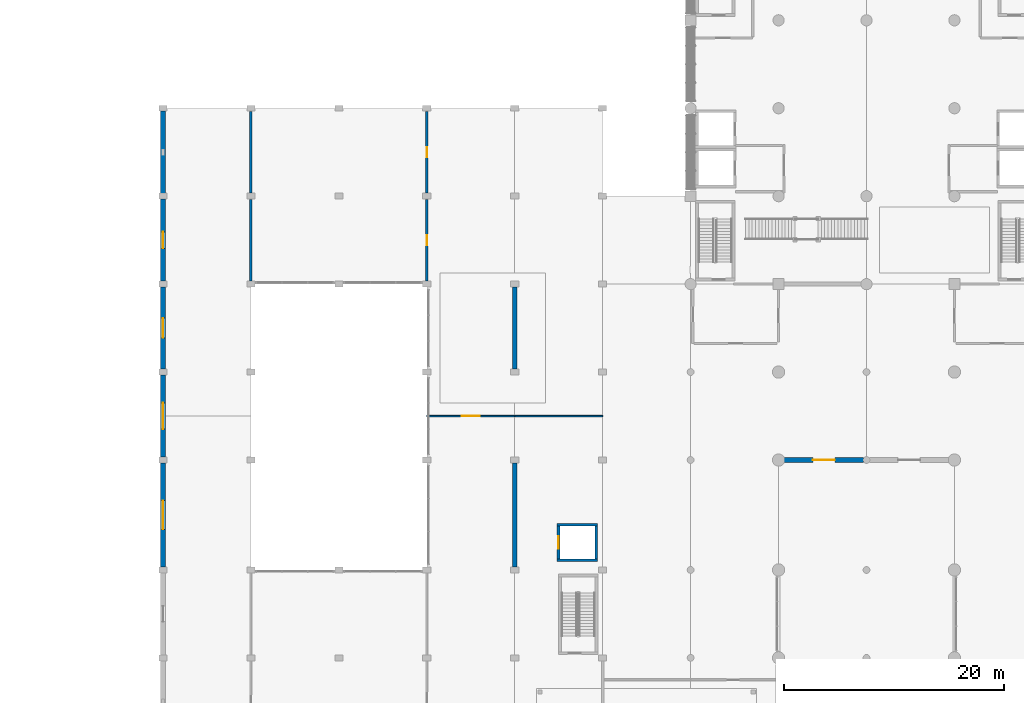
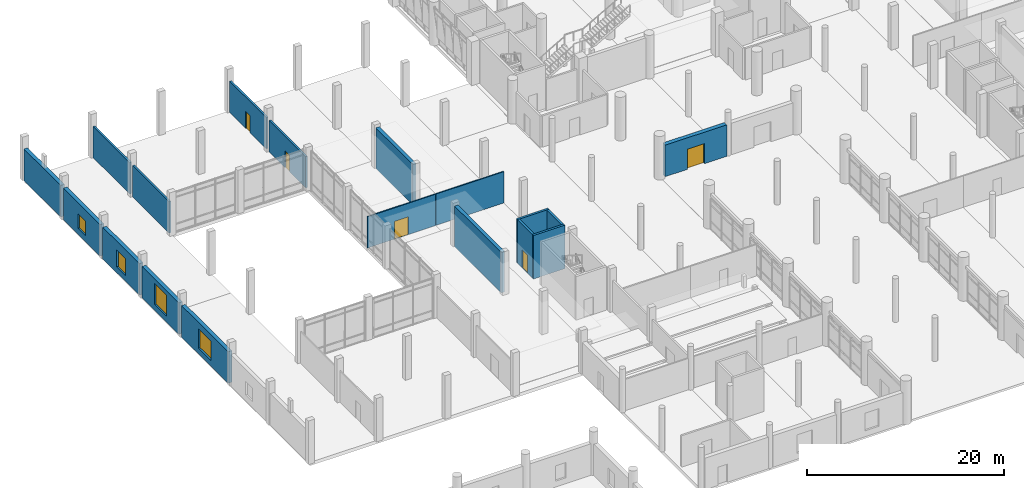
# One storey, part 25 of 42: 18 walls, 5 doors, 4 windows, 9 openings.
"""IFC4 building model written with IfcOpenShell, lengths in metres."""

from ifc_helpers import new_model, si_unit, direction, frame, frame_2d, origin, place, context, subcontext, project, spatial, rectangle, extrude, material, layer, layer_set, type_object, element, fill, save


model = new_model("IFC4")

# Units and contexts
model_context = context("Model", 3, precision=1e-05, world=origin(), true_north=direction((0.0, 1.0)))
body_context = subcontext(model_context, "Body", "Model", "MODEL_VIEW")
ifc_project = project(units=[si_unit("LENGTHUNIT", "METRE"), si_unit("AREAUNIT", "SQUARE_METRE"), si_unit("VOLUMEUNIT", "CUBIC_METRE"), si_unit("PLANEANGLEUNIT", "RADIAN"), si_unit("MASSUNIT", "GRAM", prefix="KILO")], contexts=[model_context])

# Site, building, storey
site_placement = place(None, origin())
site = spatial("IfcSite", under=ifc_project, at=site_placement, CompositionType="ELEMENT")
building_placement = place(site_placement, origin())
building = spatial("IfcBuilding", under=site, at=building_placement, Name="Pecanmere Concourse Central Library", CompositionType="ELEMENT")
storey_placement = place(building_placement, origin())
storey = spatial("IfcBuildingStorey", under=building, at=storey_placement, Name="L01", CompositionType="ELEMENT", Elevation=0.0)

# Wall, opening, door
ifc_material_1 = material(Name="Texas sunset granite ashlar", Category="masonry")
ifc_layer_1 = layer(ifc_material_1, 0.47998046875, Name="EW_GRAN_480")
ifc_layer_set_1 = layer_set([ifc_layer_1], Name="Texas sunset granite ashlar")
wall_type_1 = type_object("IfcWallType", Name="EW_GRAN_480", PredefinedType="STANDARD", material=ifc_layer_set_1)
wall_1_placement = place(storey_placement, frame((80.50390625, 74.0, 0.0), z_axis=(0.0, 0.0, 1.0), x_axis=(1.0, 0.0, 0.0)))
wall_1 = element("IfcWall", 1, at=wall_1_placement, inside=storey, type_object=wall_type_1, Name="Limestone Facade Wall L01-0006", PredefinedType="STANDARD", context=body_context, shape_type="SweptSolid", body=[
    extrude(rectangle(XDim=7.217041015625, YDim=0.47998046875, at=frame_2d((3.6083984375, 0.0))), origin(), (0.0, 0.0, 1.0), 3.909912109375),
])
opening_1_placement = place(wall_1_placement, frame((2.6083984375, 0.0, 0.0)))
opening_1 = element("IfcOpeningElement", 2, at=opening_1_placement, cuts=wall_1, Name="Opening ED-02", PredefinedType="OPENING", context=body_context, shape_type="SweptSolid", body=[
    extrude(rectangle(XDim=2.0, YDim=2.5, at=frame_2d((1.0, 1.25))), frame((0.0, 0.251953125, 0.0), z_axis=(0.0, -1.0, 0.0), x_axis=(1.0, 0.0, 0.0)), (0.0, 0.0, 1.0), 0.50390625),
])
ifc_material_2 = material(Name="Architectural anodized bronze")
door_type_1 = type_object("IfcDoorType", Name="ED-02", OperationType="DOUBLE_DOOR_SINGLE_SWING", PredefinedType="DOOR", material=ifc_material_2)
door_1_placement = place(opening_1_placement, frame((2.0, 0.0, 0.0), z_axis=(0.0, 0.0, 1.0), x_axis=(-1.0, 0.0, 0.0)))
door_1 = element("IfcDoor", 3, at=door_1_placement, inside=storey, type_object=door_type_1, Name="ED-006", OperationType="DOUBLE_DOOR_SINGLE_SWING", OverallHeight=2.5, OverallWidth=2.0, PredefinedType="DOOR", context=body_context, shape_type="SweptSolid", body=[
    extrude(rectangle(XDim=2.0, YDim=2.5, at=frame_2d((1.0, 1.25))), frame((0.0, 0.02490234375, 0.0), z_axis=(0.0, -1.0, 0.0), x_axis=(1.0, 0.0, 0.0)), (0.0, 0.0, 1.0), 0.050048828125),
])
fill(opening_1, door_1)

# Wall, opening, window
ifc_material_3 = material(Name="Texas cream limestone ashlar masonry", Category="masonry")
ifc_layer_2 = layer(ifc_material_3, 0.43994140625, Name="EW_LIME_440")
ifc_layer_set_2 = layer_set([ifc_layer_2], Name="Texas cream limestone ashlar masonry")
wall_type_2 = type_object("IfcWallType", Name="EW_LIME_440", PredefinedType="STANDARD", material=ifc_layer_set_2)
wall_2_placement = place(storey_placement, frame((24.0, 73.735107421875, 0.0), z_axis=(0.0, 0.0, 1.0), x_axis=(0.0, -1.0, 0.0)))
wall_2 = element("IfcWall", 4, at=wall_2_placement, inside=storey, type_object=wall_type_2, Name="Limestone Facade Wall L01-0133", PredefinedType="STANDARD", context=body_context, shape_type="SweptSolid", body=[
    extrude(rectangle(XDim=9.47021484375, YDim=0.43994140625, at=frame_2d((4.735107421875, 0.0))), origin(), (0.0, 0.0, 1.0), 3.909912109375),
])
opening_2_placement = place(wall_2_placement, frame((3.43505859375, 0.0, 0.719970703125)))
opening_2 = element("IfcOpeningElement", 5, at=opening_2_placement, cuts=wall_2, Name="Opening WN-15", PredefinedType="OPENING", context=body_context, shape_type="SweptSolid", body=[
    extrude(rectangle(XDim=2.60009765625, YDim=2.39990234375, at=frame_2d((1.300048828125, 1.199951171875))), frame((0.0, 0.23193359375, 0.0), z_axis=(0.0, -1.0, 0.0), x_axis=(1.0, 0.0, 0.0)), (0.0, 0.0, 1.0), 0.4638671875),
])
ifc_material_4 = material(Name="Low-iron clear insulated glazing", Category="glass")
window_type_1 = type_object("IfcWindowType", Name="WIN_2600x2400", PartitioningType="SINGLE_PANEL", PredefinedType="WINDOW", material=ifc_material_4)
window_1_placement = place(opening_2_placement, origin())
window_1 = element("IfcWindow", 6, at=window_1_placement, inside=storey, type_object=window_type_1, Name="WN-116", OverallHeight=2.39990234375, OverallWidth=2.60009765625, PartitioningType="SINGLE_PANEL", PredefinedType="WINDOW", context=body_context, shape_type="SweptSolid", body=[
    extrude(rectangle(XDim=2.60009765625, YDim=2.39990234375, at=frame_2d((1.300048828125, 1.199951171875))), frame((0.0, 0.030029296875, 0.0), z_axis=(0.0, -1.0, 0.0), x_axis=(1.0, 0.0, 0.0)), (0.0, 0.0, 1.0), 0.06005859375),
])
fill(opening_2, window_1)

wall_3_placement = place(storey_placement, frame((24.0, 81.735107421875, 0.0), z_axis=(0.0, 0.0, 1.0), x_axis=(0.0, -1.0, 0.0)))
wall_3 = element("IfcWall", 7, at=wall_3_placement, inside=storey, type_object=wall_type_2, Name="Limestone Facade Wall L01-0135", PredefinedType="STANDARD", context=body_context, shape_type="SweptSolid", body=[
    extrude(rectangle(XDim=7.47021484375, YDim=0.43994140625, at=frame_2d((3.735107421875, 0.0))), origin(), (0.0, 0.0, 1.0), 3.909912109375),
])
opening_3_placement = place(wall_3_placement, frame((2.534912109375, 0.0, 0.719970703125)))
opening_3 = element("IfcOpeningElement", 8, at=opening_3_placement, cuts=wall_3, Name="Opening WN-01", PredefinedType="OPENING", context=body_context, shape_type="SweptSolid", body=[
    extrude(rectangle(XDim=2.39990234375, YDim=2.60009765625, at=frame_2d((1.199951171875, 1.300048828125))), frame((0.0, 0.23193359375, 0.0), z_axis=(0.0, -1.0, 0.0), x_axis=(1.0, 0.0, 0.0)), (0.0, 0.0, 1.0), 0.4638671875),
])
ifc_material_5 = material(Name="Low-iron clear insulated glazing", Category="glass")
window_type_2 = type_object("IfcWindowType", Name="WIN_2400x2600", PartitioningType="SINGLE_PANEL", PredefinedType="WINDOW", material=ifc_material_5)
window_2_placement = place(opening_3_placement, origin())
window_2 = element("IfcWindow", 9, at=window_2_placement, inside=storey, type_object=window_type_2, Name="WN-118", OverallHeight=2.60009765625, OverallWidth=2.39990234375, PartitioningType="SINGLE_PANEL", PredefinedType="WINDOW", context=body_context, shape_type="SweptSolid", body=[
    extrude(rectangle(XDim=2.39990234375, YDim=2.60009765625, at=frame_2d((1.199951171875, 1.300048828125))), frame((0.0, 0.030029296875, 0.0), z_axis=(0.0, -1.0, 0.0), x_axis=(1.0, 0.0, 0.0)), (0.0, 0.0, 1.0), 0.06005859375),
])
fill(opening_3, window_2)

wall_4_placement = place(storey_placement, frame((24.0, 89.735107421875, 0.0), z_axis=(0.0, 0.0, 1.0), x_axis=(0.0, -1.0, 0.0)))
wall_4 = element("IfcWall", 10, at=wall_4_placement, inside=storey, type_object=wall_type_2, Name="Limestone Facade Wall L01-0137", PredefinedType="STANDARD", context=body_context, shape_type="SweptSolid", body=[
    extrude(rectangle(XDim=7.47021484375, YDim=0.43994140625, at=frame_2d((3.735107421875, 0.0))), origin(), (0.0, 0.0, 1.0), 3.909912109375),
])
opening_4_placement = place(wall_4_placement, frame((2.8349609375, 0.0, 0.719970703125)))
opening_4 = element("IfcOpeningElement", 11, at=opening_4_placement, cuts=wall_4, Name="Opening WN-05", PredefinedType="OPENING", context=body_context, shape_type="SweptSolid", body=[
    extrude(rectangle(XDim=1.800048828125, YDim=2.10009765625, at=frame_2d((0.89990234375, 1.050048828125))), frame((0.0, 0.23193359375, 0.0), z_axis=(0.0, -1.0, 0.0), x_axis=(1.0, 0.0, 0.0)), (0.0, 0.0, 1.0), 0.4638671875),
])
ifc_material_6 = material(Name="Low-iron clear insulated glazing", Category="glass")
window_type_3 = type_object("IfcWindowType", Name="WIN_1800x2100", PartitioningType="SINGLE_PANEL", PredefinedType="WINDOW", material=ifc_material_6)
window_3_placement = place(opening_4_placement, origin())
window_3 = element("IfcWindow", 12, at=window_3_placement, inside=storey, type_object=window_type_3, Name="WN-120", OverallHeight=2.10009765625, OverallWidth=1.800048828125, PartitioningType="SINGLE_PANEL", PredefinedType="WINDOW", context=body_context, shape_type="SweptSolid", body=[
    extrude(rectangle(XDim=1.800048828125, YDim=2.10009765625, at=frame_2d((0.89990234375, 1.050048828125))), frame((0.0, 0.030029296875, 0.0), z_axis=(0.0, -1.0, 0.0), x_axis=(1.0, 0.0, 0.0)), (0.0, 0.0, 1.0), 0.06005859375),
])
fill(opening_4, window_3)

wall_5_placement = place(storey_placement, frame((24.0, 97.735107421875, 0.0), z_axis=(0.0, 0.0, 1.0), x_axis=(0.0, -1.0, 0.0)))
wall_5 = element("IfcWall", 13, at=wall_5_placement, inside=storey, type_object=wall_type_2, Name="Limestone Facade Wall L01-0139", PredefinedType="STANDARD", context=body_context, shape_type="SweptSolid", body=[
    extrude(rectangle(XDim=7.47021484375, YDim=0.43994140625, at=frame_2d((3.735107421875, 0.0))), origin(), (0.0, 0.0, 1.0), 3.909912109375),
])
opening_5_placement = place(wall_5_placement, frame((2.985107421875, 0.0, 0.719970703125)))
opening_5 = element("IfcOpeningElement", 14, at=opening_5_placement, cuts=wall_5, Name="Opening WN-09", PredefinedType="OPENING", context=body_context, shape_type="SweptSolid", body=[
    extrude(rectangle(XDim=1.5, YDim=1.800048828125, at=frame_2d((0.75, 0.89990234375))), frame((0.0, 0.23193359375, 0.0), z_axis=(0.0, -1.0, 0.0), x_axis=(1.0, 0.0, 0.0)), (0.0, 0.0, 1.0), 0.4638671875),
])
ifc_material_7 = material(Name="Low-iron clear insulated glazing", Category="glass")
window_type_4 = type_object("IfcWindowType", Name="WIN_1500x1800", PartitioningType="SINGLE_PANEL", PredefinedType="WINDOW", material=ifc_material_7)
window_4_placement = place(opening_5_placement, origin())
window_4 = element("IfcWindow", 15, at=window_4_placement, inside=storey, type_object=window_type_4, Name="WN-122", OverallHeight=1.800048828125, OverallWidth=1.5, PartitioningType="SINGLE_PANEL", PredefinedType="WINDOW", context=body_context, shape_type="SweptSolid", body=[
    extrude(rectangle(XDim=1.5, YDim=1.800048828125, at=frame_2d((0.75, 0.89990234375))), frame((0.0, 0.030029296875, 0.0), z_axis=(0.0, -1.0, 0.0), x_axis=(1.0, 0.0, 0.0)), (0.0, 0.0, 1.0), 0.06005859375),
])
fill(opening_5, window_4)

# Wall
wall_6_placement = place(storey_placement, frame((24.0, 105.735107421875, 0.0), z_axis=(0.0, 0.0, 1.0), x_axis=(0.0, -1.0, 0.0)))
element("IfcWall", 16, at=wall_6_placement, inside=storey, type_object=wall_type_2, Name="Limestone Facade Wall L01-0141", PredefinedType="STANDARD", context=body_context, shape_type="SweptSolid", body=[
    extrude(rectangle(XDim=7.47021484375, YDim=0.43994140625, at=frame_2d((3.735107421875, 0.0))), origin(), (0.0, 0.0, 1.0), 3.909912109375),
])

# Wall, opening, door
ifc_material_8 = material(Name="Fire-rated gypsum board on acoustic steel stud", Category="steel")
ifc_layer_3 = layer(ifc_material_8, 0.135009765625, Name="IW_PART_135")
ifc_layer_set_3 = layer_set([ifc_layer_3], Name="Fire-rated gypsum board on acoustic steel stud")
wall_type_3 = type_object("IfcWallType", Name="IW_PART_135", PredefinedType="PARTITIONING", material=ifc_layer_set_3)
wall_7_placement = place(storey_placement, frame((48.0, 78.0, 0.0), z_axis=(0.0, 0.0, 1.0), x_axis=(1.0, 0.0, 0.0)))
wall_7 = element("IfcWall", 17, at=wall_7_placement, inside=storey, type_object=wall_type_3, Name="Interior Partition L01-0114", PredefinedType="PARTITIONING", context=body_context, shape_type="SweptSolid", body=[
    extrude(rectangle(XDim=8.0, YDim=0.135009765625, at=frame_2d((4.0, 0.0))), origin(), (0.0, 0.0, 1.0), 3.8798828125),
])
opening_6_placement = place(wall_7_placement, frame((3.199951171875, 0.0, 0.0)))
opening_6 = element("IfcOpeningElement", 18, at=opening_6_placement, cuts=wall_7, Name="Opening DT-02", PredefinedType="OPENING", context=body_context, shape_type="SweptSolid", body=[
    extrude(rectangle(XDim=1.60009765625, YDim=2.199951171875, at=frame_2d((0.800048828125, 1.10009765625))), frame((0.0, 0.07958984375, 0.0), z_axis=(0.0, -1.0, 0.0), x_axis=(1.0, 0.0, 0.0)), (0.0, 0.0, 1.0), 0.158935546875),
])
ifc_material_9 = material(Name="Solid white oak architectural joinery")
door_type_2 = type_object("IfcDoorType", Name="DT-02", OperationType="DOUBLE_DOOR_SINGLE_SWING", PredefinedType="DOOR", material=ifc_material_9)
door_2_placement = place(opening_6_placement, frame((1.60009765625, 0.0, 0.0), z_axis=(0.0, 0.0, 1.0), x_axis=(-1.0, 0.0, 0.0)))
door_2 = element("IfcDoor", 19, at=door_2_placement, inside=storey, type_object=door_type_2, Name="D-177", OperationType="DOUBLE_DOOR_SINGLE_SWING", OverallHeight=2.199951171875, OverallWidth=1.60009765625, PredefinedType="DOOR", context=body_context, shape_type="SweptSolid", body=[
    extrude(rectangle(XDim=1.60009765625, YDim=2.199951171875, at=frame_2d((0.800048828125, 1.10009765625))), frame((0.0, 0.02490234375, 0.0), z_axis=(0.0, -1.0, 0.0), x_axis=(1.0, 0.0, 0.0)), (0.0, 0.0, 1.0), 0.050048828125),
])
fill(opening_6, door_2)

# Wall
wall_8_placement = place(storey_placement, frame((56.02001953125, 78.0, 0.0), z_axis=(0.0, 0.0, 1.0), x_axis=(1.0, 0.0, 0.0)))
element("IfcWall", 20, at=wall_8_placement, inside=storey, type_object=wall_type_3, Name="Interior Partition L01-0115", PredefinedType="PARTITIONING", context=body_context, shape_type="SweptSolid", body=[
    extrude(rectangle(XDim=7.97998046875, YDim=0.135009765625, at=frame_2d((3.989990234375, 0.0))), origin(), (0.0, 0.0, 1.0), 3.8798828125),
])

# Wall, opening, door
ifc_material_10 = material(Name="Concrete masonry unit ASTM C90", Category="masonry")
ifc_layer_4 = layer(ifc_material_10, 0.22509765625, Name="IW_PLUMB_225")
ifc_layer_set_4 = layer_set([ifc_layer_4], Name="Concrete masonry unit ASTM C90")
wall_type_4 = type_object("IfcWallType", Name="IW_PLUMB_225", PredefinedType="PARTITIONING", material=ifc_layer_set_4)
wall_9_placement = place(storey_placement, frame((48.0, 90.280029296875, 0.0), z_axis=(0.0, 0.0, 1.0), x_axis=(0.0, 1.0, 0.0)))
wall_9 = element("IfcWall", 21, at=wall_9_placement, inside=storey, type_object=wall_type_4, Name="Interior Partition L01-0128", PredefinedType="PARTITIONING", context=body_context, shape_type="SweptSolid", body=[
    extrude(rectangle(XDim=7.43994140625, YDim=0.22509765625, at=frame_2d((3.719970703125, 0.0))), origin(), (0.0, 0.0, 1.0), 3.8798828125),
])
opening_7_placement = place(wall_9_placement, frame((3.260009765625, 0.0, 0.0)))
opening_7 = element("IfcOpeningElement", 22, at=opening_7_placement, cuts=wall_9, Name="Opening DT-08", PredefinedType="OPENING", context=body_context, shape_type="SweptSolid", body=[
    extrude(rectangle(XDim=0.919921875, YDim=2.10009765625, at=frame_2d((0.4599609375, 1.050048828125))), frame((0.0, 0.12451171875, 0.0), z_axis=(0.0, -1.0, 0.0), x_axis=(1.0, 0.0, 0.0)), (0.0, 0.0, 1.0), 0.2490234375),
])
ifc_material_11 = material(Name="Solid white oak architectural joinery")
door_type_3 = type_object("IfcDoorType", Name="DT-08", OperationType="SINGLE_SWING_RIGHT", PredefinedType="DOOR", material=ifc_material_11)
door_3_placement = place(opening_7_placement, origin())
door_3 = element("IfcDoor", 23, at=door_3_placement, inside=storey, type_object=door_type_3, Name="D-184", OperationType="SINGLE_SWING_RIGHT", OverallHeight=2.10009765625, OverallWidth=0.919921875, PredefinedType="DOOR", context=body_context, shape_type="SweptSolid", body=[
    extrude(rectangle(XDim=0.919921875, YDim=2.10009765625, at=frame_2d((0.4599609375, 1.050048828125))), frame((0.0, 0.02490234375, 0.0), z_axis=(0.0, -1.0, 0.0), x_axis=(1.0, 0.0, 0.0)), (0.0, 0.0, 1.0), 0.050048828125),
])
fill(opening_7, door_3)

wall_10_placement = place(storey_placement, frame((48.0, 98.280029296875, 0.0), z_axis=(0.0, 0.0, 1.0), x_axis=(0.0, 1.0, 0.0)))
wall_10 = element("IfcWall", 24, at=wall_10_placement, inside=storey, type_object=wall_type_4, Name="Interior Partition L01-0129", PredefinedType="PARTITIONING", context=body_context, shape_type="SweptSolid", body=[
    extrude(rectangle(XDim=7.43994140625, YDim=0.22509765625, at=frame_2d((3.719970703125, 0.0))), origin(), (0.0, 0.0, 1.0), 3.8798828125),
])
opening_8_placement = place(wall_10_placement, frame((3.260009765625, 0.0, 0.0)))
opening_8 = element("IfcOpeningElement", 25, at=opening_8_placement, cuts=wall_10, Name="Opening DT-07", PredefinedType="OPENING", context=body_context, shape_type="SweptSolid", body=[
    extrude(rectangle(XDim=0.919921875, YDim=2.10009765625, at=frame_2d((0.4599609375, 1.050048828125))), frame((0.0, 0.12451171875, 0.0), z_axis=(0.0, -1.0, 0.0), x_axis=(1.0, 0.0, 0.0)), (0.0, 0.0, 1.0), 0.2490234375),
])
ifc_material_12 = material(Name="Solid white oak architectural joinery")
door_type_4 = type_object("IfcDoorType", Name="DT-07", OperationType="SINGLE_SWING_LEFT", PredefinedType="DOOR", material=ifc_material_12)
door_4_placement = place(opening_8_placement, frame((0.919921875, 0.0, 0.0), z_axis=(0.0, 0.0, 1.0), x_axis=(-1.0, 0.0, 0.0)))
door_4 = element("IfcDoor", 26, at=door_4_placement, inside=storey, type_object=door_type_4, Name="D-185", OperationType="SINGLE_SWING_LEFT", OverallHeight=2.10009765625, OverallWidth=0.919921875, PredefinedType="DOOR", context=body_context, shape_type="SweptSolid", body=[
    extrude(rectangle(XDim=0.919921875, YDim=2.10009765625, at=frame_2d((0.4599609375, 1.050048828125))), frame((0.0, 0.02490234375, 0.0), z_axis=(0.0, -1.0, 0.0), x_axis=(1.0, 0.0, 0.0)), (0.0, 0.0, 1.0), 0.050048828125),
])
fill(opening_8, door_4)

# Walls
for number, where, z_axis, x_axis, name in (
    (27, (32.0, 90.280029296875, 0.0), (0.0, 0.0, 1.0), (0.0, 1.0, 0.0), "Interior Partition L01-0130"),
    (28, (32.0, 98.280029296875, 0.0), (0.0, 0.0, 1.0), (0.0, 1.0, 0.0), "Interior Partition L01-0131"),
):
    element("IfcWall", number, at=place(storey_placement, frame(where, z_axis=z_axis, x_axis=x_axis)), inside=storey, type_object=wall_type_4, Name=name, PredefinedType="PARTITIONING", context=body_context, shape_type="SweptSolid", body=[
        extrude(rectangle(XDim=7.43994140625, YDim=0.22509765625, at=frame_2d((3.719970703125, 0.0))), origin(), (0.0, 0.0, 1.0), 3.8798828125),
    ])
ifc_material_13 = material(Name="Concrete C40/50", Category="concrete")
ifc_layer_5 = layer(ifc_material_13, 0.419921875, Name="WALL_SHR_420")
ifc_layer_set_5 = layer_set([ifc_layer_5], Name="Concrete C40/50")
wall_type_5 = type_object("IfcWallType", Name="WALL_SHR_420", PredefinedType="SHEAR", material=ifc_layer_set_5)
wall_11_placement = place(storey_placement, frame((56.0, 64.27001953125, 0.0), z_axis=(0.0, 0.0, 1.0), x_axis=(0.0, 1.0, 0.0)))
element("IfcWall", 29, at=wall_11_placement, inside=storey, type_object=wall_type_5, Name="Lateral Shear Wall L01-014", PredefinedType="SHEAR", context=body_context, shape_type="SweptSolid", body=[
    extrude(rectangle(XDim=9.4599609375, YDim=0.419921875, at=frame_2d((4.72998046875, 0.0))), origin(), (0.0, 0.0, 1.0), 5.030029296875),
])
wall_12_placement = place(storey_placement, frame((56.0, 82.27001953125, 0.0), z_axis=(0.0, 0.0, 1.0), x_axis=(0.0, 1.0, 0.0)))
element("IfcWall", 30, at=wall_12_placement, inside=storey, type_object=wall_type_5, Name="Lateral Shear Wall L01-020", PredefinedType="SHEAR", context=body_context, shape_type="SweptSolid", body=[
    extrude(rectangle(XDim=7.4599609375, YDim=0.419921875, at=frame_2d((3.72998046875, 0.0))), origin(), (0.0, 0.0, 1.0), 5.030029296875),
])
ifc_material_14 = material(Name="Concrete C40/50", Category="concrete")
ifc_layer_6 = layer(ifc_material_14, 0.239990234375, Name="WALL_SLD_240")
ifc_layer_set_6 = layer_set([ifc_layer_6], Name="Concrete C40/50")
wall_type_6 = type_object("IfcWallType", Name="WALL_SLD_240", PredefinedType="SOLIDWALL", material=ifc_layer_set_6)
for number, where, z_axis, x_axis, name in (
    (31, (59.860107421875, 64.8798828125, 0.0), (0.0, 0.0, 1.0), (1.0, 0.0, 0.0), "Hoistway Wall LP-04 L01-S"),
    (32, (59.860107421875, 68.1201171875, 0.0), (0.0, 0.0, 1.0), (1.0, 0.0, 0.0), "Hoistway Wall LP-04 L01-N"),
):
    element("IfcWall", number, at=place(storey_placement, frame(where, z_axis=z_axis, x_axis=x_axis)), inside=storey, type_object=wall_type_6, Name=name, PredefinedType="SOLIDWALL", context=body_context, shape_type="SweptSolid", body=[
        extrude(rectangle(XDim=3.679931640625, YDim=0.239990234375, at=frame_2d((1.83984375, 0.0))), origin(), (0.0, 0.0, 1.0), 5.39990234375),
    ])

# Wall, opening, door
wall_13_placement = place(storey_placement, frame((59.97998046875, 65.0, 0.0), z_axis=(0.0, 0.0, 1.0), x_axis=(0.0, 1.0, 0.0)))
wall_13 = element("IfcWall", 33, at=wall_13_placement, inside=storey, type_object=wall_type_6, Name="Hoistway Wall LP-04 L01-W", PredefinedType="SOLIDWALL", context=body_context, shape_type="SweptSolid", body=[
    extrude(rectangle(XDim=3.0, YDim=0.239990234375, at=frame_2d((1.5, 0.0))), origin(), (0.0, 0.0, 1.0), 5.39990234375),
])
opening_9_placement = place(wall_13_placement, frame((0.949951171875, 0.0, 0.0)))
opening_9 = element("IfcOpeningElement", 34, at=opening_9_placement, cuts=wall_13, Name="Opening LD-01", PredefinedType="OPENING", context=body_context, shape_type="SweptSolid", body=[
    extrude(rectangle(XDim=1.10009765625, YDim=2.199951171875, at=frame_2d((0.550048828125, 1.10009765625))), frame((0.0, 0.1318359375, 0.0), z_axis=(0.0, -1.0, 0.0), x_axis=(1.0, 0.0, 0.0)), (0.0, 0.0, 1.0), 0.263916015625),
])
ifc_material_15 = material(Name="Brushed stainless steel Grade 316", Category="steel")
door_type_5 = type_object("IfcDoorType", Name="LD-01", OperationType="DOUBLE_DOOR_SLIDING", PredefinedType="DOOR", material=ifc_material_15)
door_5_placement = place(opening_9_placement, origin())
door_5 = element("IfcDoor", 35, at=door_5_placement, inside=storey, type_object=door_type_5, Name="LD-LP-04-L01", OperationType="DOUBLE_DOOR_SLIDING", OverallHeight=2.199951171875, OverallWidth=1.10009765625, PredefinedType="DOOR", context=body_context, shape_type="SweptSolid", body=[
    extrude(rectangle(XDim=1.10009765625, YDim=2.199951171875, at=frame_2d((0.550048828125, 1.10009765625))), frame((0.0, 0.02490234375, 0.0), z_axis=(0.0, -1.0, 0.0), x_axis=(1.0, 0.0, 0.0)), (0.0, 0.0, 1.0), 0.050048828125),
])
fill(opening_9, door_5)

# Wall
wall_14_placement = place(storey_placement, frame((63.419921875, 65.0, 0.0), z_axis=(0.0, 0.0, 1.0), x_axis=(0.0, 1.0, 0.0)))
element("IfcWall", 36, at=wall_14_placement, inside=storey, type_object=wall_type_6, Name="Hoistway Wall LP-04 L01-E", PredefinedType="SOLIDWALL", context=body_context, shape_type="SweptSolid", body=[
    extrude(rectangle(XDim=3.0, YDim=0.239990234375, at=frame_2d((1.5, 0.0))), origin(), (0.0, 0.0, 1.0), 5.39990234375),
])

save(model, "model.ifc")
